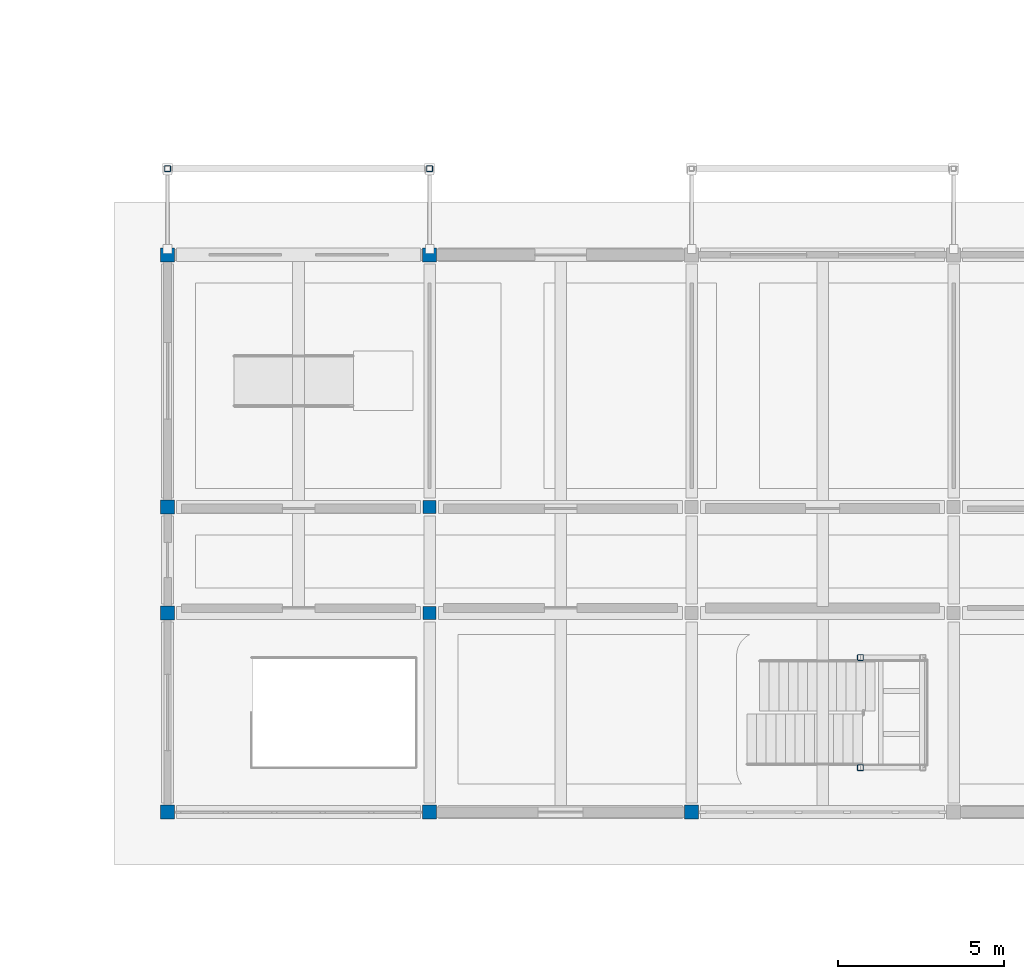
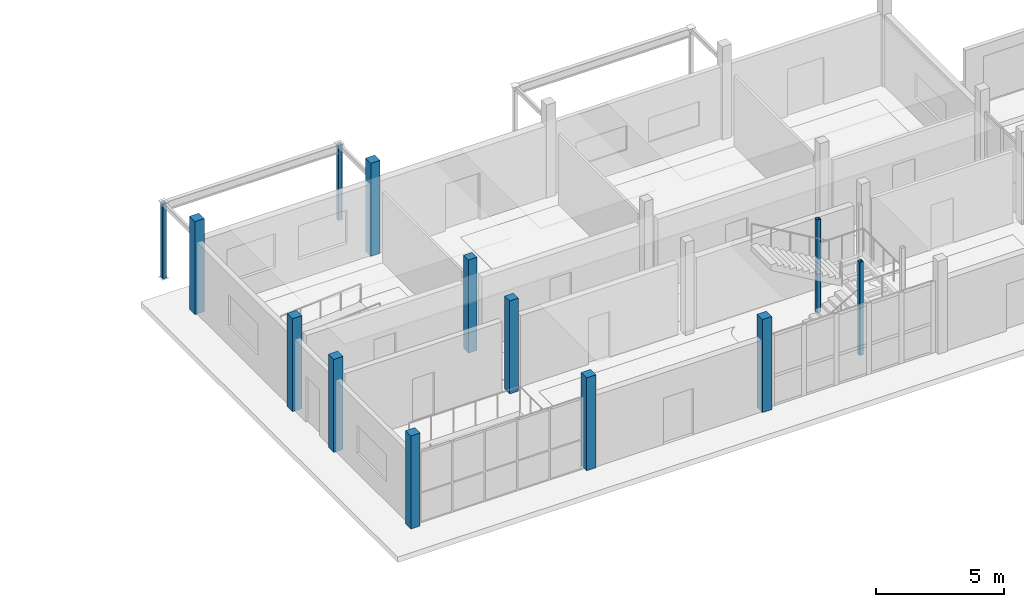
# One storey, part 2 of 92: 13 columns.
"""IFC4 building model written with IfcOpenShell, lengths in metres."""

from ifc_helpers import new_model, si_unit, direction, frame, origin, origin_2d, place, context, subcontext, project, spatial, rectangle, hollow_rectangle, extrude, material, material_profile, profile_set, type_object, element, save


model = new_model("IFC4")

# Units and contexts
model_context = context("Model", 3, precision=1e-05, world=origin(), true_north=direction((0.0, 1.0)))
body_context = subcontext(model_context, "Body", "Model", "MODEL_VIEW")
ifc_project = project(units=[si_unit("LENGTHUNIT", "METRE"), si_unit("AREAUNIT", "SQUARE_METRE"), si_unit("VOLUMEUNIT", "CUBIC_METRE"), si_unit("PLANEANGLEUNIT", "RADIAN"), si_unit("MASSUNIT", "GRAM", prefix="KILO")], contexts=[model_context])

# Site, building, storey
site_placement = place(None, origin())
site = spatial("IfcSite", under=ifc_project, at=site_placement, CompositionType="ELEMENT")
building_placement = place(site_placement, origin())
building = spatial("IfcBuilding", under=site, at=building_placement, Name="Caldaven Crescent School", CompositionType="ELEMENT")
storey_placement = place(building_placement, origin())
storey = spatial("IfcBuildingStorey", under=building, at=storey_placement, Name="L00", CompositionType="ELEMENT", Elevation=0.0)

# Columns
ifc_material_1 = material(Name="Glulam MLE24h (GL28h)", Category="wood")
ifc_material_profile_1 = material_profile(ifc_material_1, rectangle(XDim=0.389892578125, YDim=0.389892578125, at=origin_2d()), Name="MLE 390x390")
ifc_profile_set_1 = profile_set([ifc_material_profile_1], Name="Glulam MLE24h (GL28h)")
column_type_1 = type_object("IfcColumnType", Name="COL-GL39", PredefinedType="COLUMN", material=ifc_profile_set_1)
for number, where, z_axis, x_axis, name in (
    (1, (33.39990234375, 10.199951171875, 0.0), (0.0, 0.0, 1.0), (1.0, 0.0, 0.0), "COL-V4S-L00-1-1"),
    (2, (33.39990234375, 13.39990234375, 0.0), (0.0, 0.0, 1.0), (1.0, 0.0, 0.0), "COL-V4S-L00-1-2"),
):
    element("IfcColumn", number, at=place(storey_placement, frame(where, z_axis=z_axis, x_axis=x_axis)), inside=storey, type_object=column_type_1, Name=name, PredefinedType="COLUMN", context=body_context, shape_type="SweptSolid", body=[
        extrude(rectangle(XDim=0.389892578125, YDim=0.389892578125, at=origin_2d()), origin(), (0.0, 0.0, 1.0), 4.419921875),
    ])
ifc_material_profile_2 = material_profile(ifc_material_1, rectangle(XDim=0.419921875, YDim=0.419921875, at=origin_2d()), Name="MLE 420x420")
ifc_profile_set_2 = profile_set([ifc_material_profile_2], Name="Glulam MLE24h (GL28h)")
column_type_2 = type_object("IfcColumnType", Name="COL-GL42", PredefinedType="COLUMN", material=ifc_profile_set_2)
for number, where, z_axis, x_axis, name in (
    (3, (25.5, 4.199951171875, 0.0), (0.0, 0.0, 1.0), (1.0, 0.0, 0.0), "COL-V4S-L00-0-0"),
    (4, (25.5, 10.199951171875, 0.0), (0.0, 0.0, 1.0), (1.0, 0.0, 0.0), "COL-V4S-L00-0-1"),
    (5, (25.5, 13.39990234375, 0.0), (0.0, 0.0, 1.0), (1.0, 0.0, 0.0), "COL-V4S-L00-0-2"),
    (6, (25.5, 21.0, 0.0), (0.0, 0.0, 1.0), (1.0, 0.0, 0.0), "COL-V4S-L00-0-3"),
    (7, (33.39990234375, 4.199951171875, 0.0), (0.0, 0.0, 1.0), (1.0, 0.0, 0.0), "COL-V4S-L00-1-0"),
    (8, (33.39990234375, 21.0, 0.0), (0.0, 0.0, 1.0), (1.0, 0.0, 0.0), "COL-V4S-L00-1-3"),
    (9, (41.300048828125, 4.199951171875, 0.0), (0.0, 0.0, 1.0), (1.0, 0.0, 0.0), "COL-V4S-L00-2-0"),
):
    element("IfcColumn", number, at=place(storey_placement, frame(where, z_axis=z_axis, x_axis=x_axis)), inside=storey, type_object=column_type_2, Name=name, PredefinedType="COLUMN", context=body_context, shape_type="SweptSolid", body=[
        extrude(rectangle(XDim=0.419921875, YDim=0.419921875, at=origin_2d()), origin(), (0.0, 0.0, 1.0), 4.419921875),
    ])
ifc_material_2 = material(Name="Steel ASTM A572 Grade 50", Category="steel")
ifc_material_profile_3 = material_profile(ifc_material_2, hollow_rectangle(XDim=0.179931640625, YDim=0.179931640625, WallThickness=0.010009765625, InnerFilletRadius=0.010009765625, OuterFilletRadius=0.02001953125, at=origin_2d()), Name="HSS 180x180x10")
ifc_profile_set_3 = profile_set([ifc_material_profile_3], Name="Steel ASTM A572 Grade 50")
column_type_3 = type_object("IfcColumnType", Name="COL-HS18", PredefinedType="COLUMN", material=ifc_profile_set_3)
for number, where, z_axis, x_axis, name in (
    (10, (25.5, 23.60009765625, 0.0), (0.0, 0.0, 1.0), (1.0, 0.0, 0.0), "COL-CAN-2-W-L00"),
    (11, (33.39990234375, 23.60009765625, 0.0), (0.0, 0.0, 1.0), (1.0, 0.0, 0.0), "COL-CAN-2-E-L00"),
):
    element("IfcColumn", number, at=place(storey_placement, frame(where, z_axis=z_axis, x_axis=x_axis)), inside=storey, type_object=column_type_3, Name=name, PredefinedType="COLUMN", context=body_context, shape_type="SweptSolid", body=[
        extrude(hollow_rectangle(XDim=0.179931640625, YDim=0.179931640625, WallThickness=0.010009765625, InnerFilletRadius=0.010009765625, OuterFilletRadius=0.02001953125, at=origin_2d()), origin(), (0.0, 0.0, 1.0), 3.60009765625),
    ])
for number, where, z_axis, x_axis, name in (
    (12, (46.389892578125, 5.5400390625, 0.0), (0.0, 0.0, 1.0), (1.0, 0.0, 0.0), "COL-STPOST-STV4S-L00-A"),
    (13, (46.389892578125, 8.860107421875, 0.0), (0.0, 0.0, 1.0), (1.0, 0.0, 0.0), "COL-STPOST-STV4S-L00-B"),
):
    element("IfcColumn", number, at=place(storey_placement, frame(where, z_axis=z_axis, x_axis=x_axis)), inside=storey, type_object=column_type_3, Name=name, PredefinedType="COLUMN", context=body_context, shape_type="SweptSolid", body=[
        extrude(hollow_rectangle(XDim=0.179931640625, YDim=0.179931640625, WallThickness=0.010009765625, InnerFilletRadius=0.010009765625, OuterFilletRadius=0.02001953125, at=origin_2d()), origin(), (0.0, 0.0, 1.0), 4.419921875),
    ])

save(model, "model.ifc")
